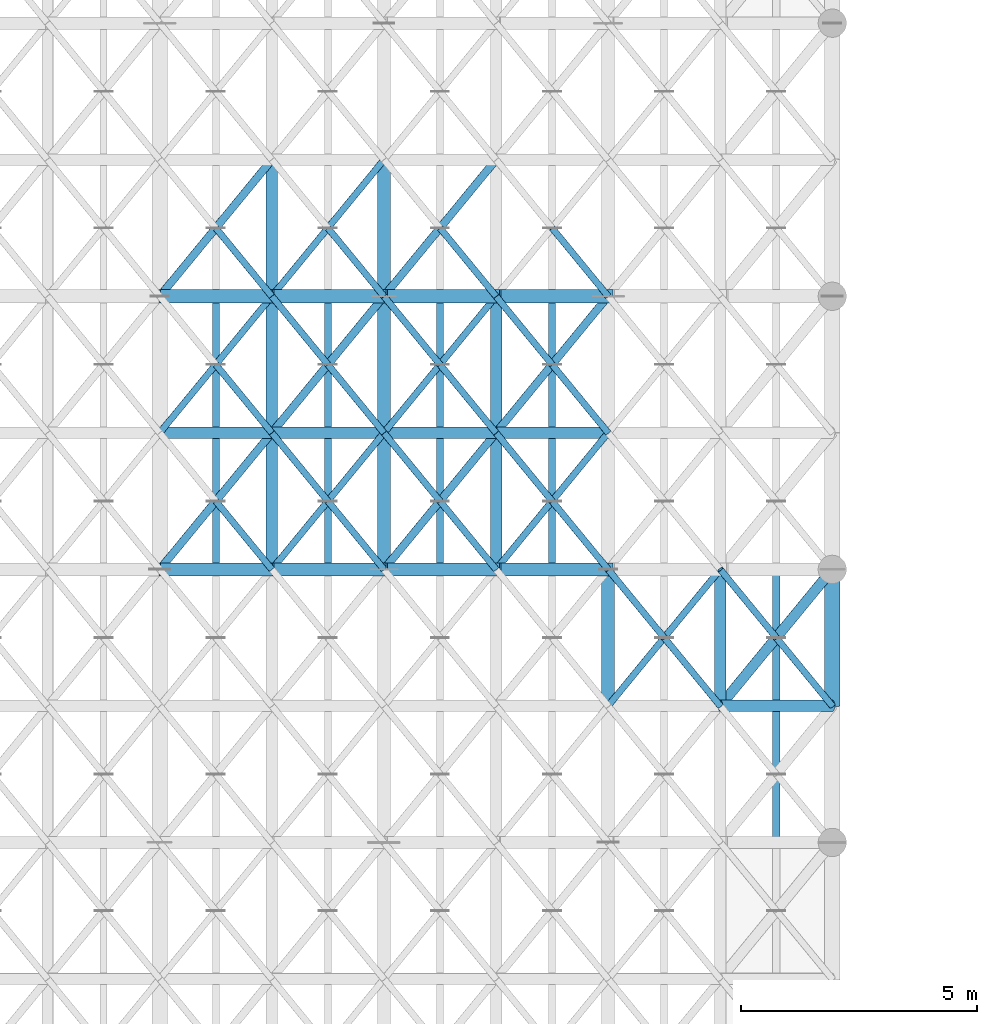
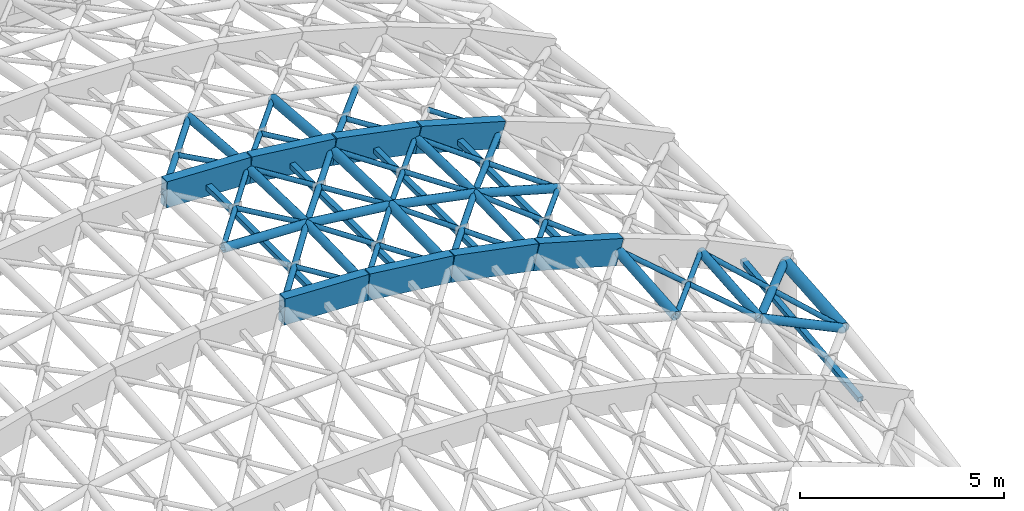
# One storey, part 42 of 146: 56 members, 8 beams.
"""IFC4 building model written with IfcOpenShell, lengths in metres."""

from ifc_helpers import new_model, si_unit, direction, frame, origin, origin_2d, place, context, subcontext, project, spatial, rectangle, hollow_rectangle, hollow_circle, extrude, material, material_profile, profile_set, type_object, element, save


model = new_model("IFC4")

# Units and contexts
model_context = context("Model", 3, precision=1e-05, world=origin(), true_north=direction((0.0, 1.0)))
body_context = subcontext(model_context, "Body", "Model", "MODEL_VIEW")
ifc_project = project(units=[si_unit("LENGTHUNIT", "METRE"), si_unit("AREAUNIT", "SQUARE_METRE"), si_unit("VOLUMEUNIT", "CUBIC_METRE"), si_unit("PLANEANGLEUNIT", "RADIAN"), si_unit("MASSUNIT", "GRAM", prefix="KILO")], contexts=[model_context])

# Site, building, storey
site_placement = place(None, origin())
site = spatial("IfcSite", under=ifc_project, at=site_placement, CompositionType="ELEMENT")
building_placement = place(site_placement, origin())
building = spatial("IfcBuilding", under=site, at=building_placement, Name="Valcora Specialist Clinic", CompositionType="ELEMENT")
storey_placement = place(building_placement, frame((0.0, 0.0, 9.52001953125)))
storey = spatial("IfcBuildingStorey", under=building, at=storey_placement, Name="L02", CompositionType="ELEMENT", Elevation=9.52001953125)

# Beams
ifc_material_1 = material(Name="Glulam Conifer Class 24F", Category="wood")
ifc_material_profile_1 = material_profile(ifc_material_1, rectangle(XDim=0.280029296875, YDim=0.780029296875, at=origin_2d()), Name="GL-ARC-280X780")
ifc_profile_set_1 = profile_set([ifc_material_profile_1], Name="Glulam Conifer Class 24F")
beam_type = type_object("IfcBeamType", Name="TY-AR-GL780", PredefinedType="JOIST", material=ifc_profile_set_1)
beam_1_placement = place(storey_placement, frame((15.0, 56.10693359375, 8.319580078125), z_axis=(0.999229898969, 0.0, -0.039237851707), x_axis=(0.0, 1.0, 0.0)))
element("IfcBeam", 1, at=beam_1_placement, inside=storey, type_object=beam_type, Name="Gridshell glulam arch chord BM-GSA-043", PredefinedType="JOIST", context=body_context, shape_type="SweptSolid", body=[
    extrude(rectangle(XDim=0.280029296875, YDim=0.780029296875, at=origin_2d()), origin(), (0.0, 0.0, 1.0), 2.376708984375),
])
beam_2_placement = place(storey_placement, frame((17.375, 56.10693359375, 8.226318359375), z_axis=(0.993061123194, 0.0, -0.117599343536), x_axis=(0.0, 1.0, 0.0)))
element("IfcBeam", 2, at=beam_2_placement, inside=storey, type_object=beam_type, Name="Gridshell glulam arch chord BM-GSA-044", PredefinedType="JOIST", context=body_context, shape_type="SweptSolid", body=[
    extrude(rectangle(XDim=0.280029296875, YDim=0.780029296875, at=origin_2d()), origin(), (0.0, 0.0, 1.0), 2.3916015625),
])
beam_3_placement = place(storey_placement, frame((19.75, 56.10693359375, 7.945068359375), z_axis=(0.980592304853, 0.0, -0.19605798036), x_axis=(0.0, 1.0, 0.0)))
element("IfcBeam", 3, at=beam_3_placement, inside=storey, type_object=beam_type, Name="Gridshell glulam arch chord BM-GSA-045", PredefinedType="JOIST", context=body_context, shape_type="SweptSolid", body=[
    extrude(rectangle(XDim=0.280029296875, YDim=0.780029296875, at=origin_2d()), origin(), (0.0, 0.0, 1.0), 2.422119140625),
])
beam_4_placement = place(storey_placement, frame((22.125, 56.10693359375, 7.47021484375), z_axis=(0.961613421173, 0.0, -0.274407777259), x_axis=(0.0, 1.0, 0.0)))
element("IfcBeam", 4, at=beam_4_placement, inside=storey, type_object=beam_type, Name="Gridshell glulam arch chord BM-GSA-046", PredefinedType="JOIST", context=body_context, shape_type="SweptSolid", body=[
    extrude(rectangle(XDim=0.280029296875, YDim=0.780029296875, at=origin_2d()), origin(), (0.0, 0.0, 1.0), 2.4697265625),
])
beam_5_placement = place(storey_placement, frame((15.0, 61.89306640625, 8.319580078125), z_axis=(0.999229898969, 0.0, -0.039237851707), x_axis=(0.0, 1.0, 0.0)))
element("IfcBeam", 5, at=beam_5_placement, inside=storey, type_object=beam_type, Name="Gridshell glulam arch chord BM-GSA-055", PredefinedType="JOIST", context=body_context, shape_type="SweptSolid", body=[
    extrude(rectangle(XDim=0.280029296875, YDim=0.780029296875, at=origin_2d()), origin(), (0.0, 0.0, 1.0), 2.376708984375),
])
beam_6_placement = place(storey_placement, frame((17.375, 61.89306640625, 8.226318359375), z_axis=(0.993061123194, 0.0, -0.117599343536), x_axis=(0.0, 1.0, 0.0)))
element("IfcBeam", 6, at=beam_6_placement, inside=storey, type_object=beam_type, Name="Gridshell glulam arch chord BM-GSA-056", PredefinedType="JOIST", context=body_context, shape_type="SweptSolid", body=[
    extrude(rectangle(XDim=0.280029296875, YDim=0.780029296875, at=origin_2d()), origin(), (0.0, 0.0, 1.0), 2.3916015625),
])
beam_7_placement = place(storey_placement, frame((19.75, 61.89306640625, 7.945068359375), z_axis=(0.980592304853, 0.0, -0.19605798036), x_axis=(0.0, 1.0, 0.0)))
element("IfcBeam", 7, at=beam_7_placement, inside=storey, type_object=beam_type, Name="Gridshell glulam arch chord BM-GSA-057", PredefinedType="JOIST", context=body_context, shape_type="SweptSolid", body=[
    extrude(rectangle(XDim=0.280029296875, YDim=0.780029296875, at=origin_2d()), origin(), (0.0, 0.0, 1.0), 2.422119140625),
])
beam_8_placement = place(storey_placement, frame((22.125, 61.89306640625, 7.47021484375), z_axis=(0.961613421173, 0.0, -0.274407777259), x_axis=(0.0, 1.0, 0.0)))
element("IfcBeam", 8, at=beam_8_placement, inside=storey, type_object=beam_type, Name="Gridshell glulam arch chord BM-GSA-058", PredefinedType="JOIST", context=body_context, shape_type="SweptSolid", body=[
    extrude(rectangle(XDim=0.280029296875, YDim=0.780029296875, at=origin_2d()), origin(), (0.0, 0.0, 1.0), 2.4697265625),
])

# Members
ifc_material_2 = material(Name="Steel ASTM A500 Grade C", Category="steel")
ifc_material_profile_2 = material_profile(ifc_material_2, hollow_circle(Radius=0.1220703125, WallThickness=0.010009765625, at=origin_2d()), Name="ST-CHS-244X10")
ifc_profile_set_2 = profile_set([ifc_material_profile_2], Name="Steel ASTM A500 Grade C")
member_type_1 = type_object("IfcMemberType", Name="TY-MB-GSC244", PredefinedType="CHORD", material=ifc_profile_set_2)
for number, where, z_axis, x_axis, name in (
    (9, (17.375, 56.10693359375, 8.226318359375), (0.0, 0.999612467017, 0.027837309208), (-1.0, 0.0, 0.0), "Gridshell longitudinal chord MB-L02-0105"),
    (10, (17.375, 59.0, 8.306884765625), (0.0, 0.999612467017, -0.027837309208), (-1.0, 0.0, 0.0), "Gridshell longitudinal chord MB-L02-0106"),
):
    element("IfcMember", number, at=place(storey_placement, frame(where, z_axis=z_axis, x_axis=x_axis)), inside=storey, type_object=member_type_1, Name=name, PredefinedType="CHORD", context=body_context, shape_type="SweptSolid", body=[
        extrude(hollow_circle(Radius=0.1220703125, WallThickness=0.010009765625, at=origin_2d()), origin(), (0.0, 0.0, 1.0), 2.894287109375),
    ])
member_1_placement = place(storey_placement, frame((17.375, 61.89306640625, 8.226318359375), z_axis=(0.0, 0.99650678891, -0.083511793517), x_axis=(-1.0, 0.0, 0.0)))
element("IfcMember", 11, at=member_1_placement, inside=storey, type_object=member_type_1, Name="Gridshell longitudinal chord MB-L02-0107", PredefinedType="CHORD", context=body_context, shape_type="SweptSolid", body=[
    extrude(hollow_circle(Radius=0.1220703125, WallThickness=0.010009765625, at=origin_2d()), origin(), (0.0, 0.0, 1.0), 2.903076171875),
])
for number, where, z_axis, x_axis, name in (
    (12, (22.125, 56.10693359375, 7.47021484375), (0.0, 0.999612467017, 0.027837309208), (-1.0, 0.0, 0.0), "Gridshell longitudinal chord MB-L02-0133"),
    (13, (22.125, 59.0, 7.55078125), (0.0, 0.999612467017, -0.027837309208), (-1.0, 0.0, 0.0), "Gridshell longitudinal chord MB-L02-0134"),
):
    element("IfcMember", number, at=place(storey_placement, frame(where, z_axis=z_axis, x_axis=x_axis)), inside=storey, type_object=member_type_1, Name=name, PredefinedType="CHORD", context=body_context, shape_type="SweptSolid", body=[
        extrude(hollow_circle(Radius=0.1220703125, WallThickness=0.010009765625, at=origin_2d()), origin(), (0.0, 0.0, 1.0), 2.894287109375),
    ])
member_2_placement = place(storey_placement, frame((26.875, 53.214111328125, 5.654541015625), z_axis=(0.0, 0.99650678891, 0.083511793517), x_axis=(-1.0, 0.0, 0.0)))
element("IfcMember", 14, at=member_2_placement, inside=storey, type_object=member_type_1, Name="Gridshell longitudinal chord MB-L02-0160", PredefinedType="CHORD", context=body_context, shape_type="SweptSolid", body=[
    extrude(hollow_circle(Radius=0.1220703125, WallThickness=0.010009765625, at=origin_2d()), origin(), (0.0, 0.0, 1.0), 2.903076171875),
])
member_3_placement = place(storey_placement, frame((26.875, 53.214111328125, 5.654541015625), z_axis=(0.902225234529, 0.0, -0.431265146028), x_axis=(0.0, 1.0, 0.0)))
element("IfcMember", 15, at=member_3_placement, inside=storey, type_object=member_type_1, Name="Gridshell secondary transverse chord MB-L02-0302", PredefinedType="CHORD", context=body_context, shape_type="SweptSolid", body=[
    extrude(hollow_circle(Radius=0.1220703125, WallThickness=0.010009765625, at=origin_2d()), origin(), (0.0, 0.0, 1.0), 2.63232421875),
])
member_4_placement = place(storey_placement, frame((15.0, 59.0, 8.39990234375), z_axis=(0.999233921008, 0.0, -0.039135292342), x_axis=(0.0, 1.0, 0.0)))
element("IfcMember", 16, at=member_4_placement, inside=storey, type_object=member_type_1, Name="Gridshell secondary transverse chord MB-L02-0309", PredefinedType="CHORD", context=body_context, shape_type="SweptSolid", body=[
    extrude(hollow_circle(Radius=0.1220703125, WallThickness=0.010009765625, at=origin_2d()), origin(), (0.0, 0.0, 1.0), 2.376708984375),
])
member_5_placement = place(storey_placement, frame((17.375, 59.0, 8.306884765625), z_axis=(0.993061123194, 0.0, -0.117599343536), x_axis=(0.0, 1.0, 0.0)))
element("IfcMember", 17, at=member_5_placement, inside=storey, type_object=member_type_1, Name="Gridshell secondary transverse chord MB-L02-0310", PredefinedType="CHORD", context=body_context, shape_type="SweptSolid", body=[
    extrude(hollow_circle(Radius=0.1220703125, WallThickness=0.010009765625, at=origin_2d()), origin(), (0.0, 0.0, 1.0), 2.3916015625),
])
member_6_placement = place(storey_placement, frame((19.75, 59.0, 8.025634765625), z_axis=(0.980592304853, 0.0, -0.19605798036), x_axis=(0.0, 1.0, 0.0)))
element("IfcMember", 18, at=member_6_placement, inside=storey, type_object=member_type_1, Name="Gridshell secondary transverse chord MB-L02-0311", PredefinedType="CHORD", context=body_context, shape_type="SweptSolid", body=[
    extrude(hollow_circle(Radius=0.1220703125, WallThickness=0.010009765625, at=origin_2d()), origin(), (0.0, 0.0, 1.0), 2.422119140625),
])
member_7_placement = place(storey_placement, frame((22.125, 59.0, 7.55078125), z_axis=(0.961613421173, 0.0, -0.274407777259), x_axis=(0.0, 1.0, 0.0)))
element("IfcMember", 19, at=member_7_placement, inside=storey, type_object=member_type_1, Name="Gridshell secondary transverse chord MB-L02-0312", PredefinedType="CHORD", context=body_context, shape_type="SweptSolid", body=[
    extrude(hollow_circle(Radius=0.1220703125, WallThickness=0.010009765625, at=origin_2d()), origin(), (0.0, 0.0, 1.0), 2.4697265625),
])
ifc_material_profile_3 = material_profile(ifc_material_2, hollow_circle(Radius=0.136474609375, WallThickness=0.011962890625, at=origin_2d()), Name="ST-CHS-273X12")
ifc_profile_set_3 = profile_set([ifc_material_profile_3], Name="Steel ASTM A500 Grade C")
member_type_2 = type_object("IfcMemberType", Name="TY-MB-GSC273", PredefinedType="CHORD", material=ifc_profile_set_3)
for number, where, z_axis, x_axis, name in (
    (20, (19.75, 56.10693359375, 7.945068359375), (0.0, 0.999612467017, 0.027837309208), (-1.0, 0.0, 0.0), "Gridshell longitudinal chord MB-L02-0119"),
    (21, (19.75, 59.0, 8.025634765625), (0.0, 0.999612467017, -0.027837309208), (-1.0, 0.0, 0.0), "Gridshell longitudinal chord MB-L02-0120"),
):
    element("IfcMember", number, at=place(storey_placement, frame(where, z_axis=z_axis, x_axis=x_axis)), inside=storey, type_object=member_type_2, Name=name, PredefinedType="CHORD", context=body_context, shape_type="SweptSolid", body=[
        extrude(hollow_circle(Radius=0.136474609375, WallThickness=0.011962890625, at=origin_2d()), origin(), (0.0, 0.0, 1.0), 2.894287109375),
    ])
for number, where, z_axis, x_axis, name in (
    (22, (19.75, 61.89306640625, 7.945068359375), (0.0, 0.99650678891, -0.083511793517), (-1.0, 0.0, 0.0), "Gridshell longitudinal chord MB-L02-0121"),
    (23, (24.5, 53.214111328125, 6.550048828125), (0.0, 0.99650678891, 0.083511793517), (-1.0, 0.0, 0.0), "Gridshell longitudinal chord MB-L02-0146"),
):
    element("IfcMember", number, at=place(storey_placement, frame(where, z_axis=z_axis, x_axis=x_axis)), inside=storey, type_object=member_type_2, Name=name, PredefinedType="CHORD", context=body_context, shape_type="SweptSolid", body=[
        extrude(hollow_circle(Radius=0.136474609375, WallThickness=0.011962890625, at=origin_2d()), origin(), (0.0, 0.0, 1.0), 2.903076171875),
    ])
ifc_material_profile_4 = material_profile(ifc_material_2, hollow_circle(Radius=0.162109375, WallThickness=0.011962890625, at=origin_2d()), Name="ST-CHS-324X12")
ifc_profile_set_4 = profile_set([ifc_material_profile_4], Name="Steel ASTM A500 Grade C")
member_type_3 = type_object("IfcMemberType", Name="TY-MB-GSC324", PredefinedType="CHORD", material=ifc_profile_set_4)
member_8_placement = place(storey_placement, frame((29.25, 53.214111328125, 4.519287109375), z_axis=(0.0, 0.996513784309, 0.083428278676), x_axis=(-1.0, 0.0, 0.0)))
element("IfcMember", 24, at=member_8_placement, inside=storey, type_object=member_type_3, Name="Gridshell longitudinal chord MB-L02-0174", PredefinedType="CHORD", context=body_context, shape_type="SweptSolid", body=[
    extrude(hollow_circle(Radius=0.162109375, WallThickness=0.011962890625, at=origin_2d()), origin(), (0.0, 0.0, 1.0), 2.90283203125),
])
ifc_material_profile_5 = material_profile(ifc_material_2, hollow_circle(Radius=0.070068359375, WallThickness=0.006103515625, at=origin_2d()), Name="ST-CHS-140X6")
ifc_profile_set_5 = profile_set([ifc_material_profile_5], Name="Steel ASTM A500 Grade C")
member_type_4 = type_object("IfcMemberType", Name="TY-MB-GSD140", PredefinedType="BRACE", material=ifc_profile_set_5)
member_9_placement = place(storey_placement, frame((17.375, 56.10693359375, 8.226318359375), z_axis=(-0.633829211446, 0.772088420604, 0.046260150095), x_axis=(-0.772915884105, -0.634508499626, 0.0)))
element("IfcMember", 25, at=member_9_placement, inside=storey, type_object=member_type_4, Name="Gridshell split counter diagrid A MB-L02-0532", PredefinedType="BRACE", context=body_context, shape_type="SweptSolid", body=[
    extrude(hollow_circle(Radius=0.070068359375, WallThickness=0.006103515625, at=origin_2d()), origin(), (0.0, 0.0, 1.0), 1.87353515625),
])
member_10_placement = place(storey_placement, frame((15.0, 59.0, 8.39990234375), z_axis=(0.633827299693, 0.772086091834, -0.04632516551), x_axis=(-0.772915884105, 0.634508499626, 0.0)))
element("IfcMember", 26, at=member_10_placement, inside=storey, type_object=member_type_4, Name="Gridshell primary diagrid MB-L02-0533", PredefinedType="BRACE", context=body_context, shape_type="SweptSolid", body=[
    extrude(hollow_circle(Radius=0.070068359375, WallThickness=0.006103515625, at=origin_2d()), origin(), (0.0, 0.0, 1.0), 3.7470703125),
])
member_11_placement = place(storey_placement, frame((17.375, 59.0, 8.306884765625), z_axis=(-0.634504850086, 0.772911438479, 0.003391678886), x_axis=(-0.772915884105, -0.634508499626, 0.0)))
element("IfcMember", 27, at=member_11_placement, inside=storey, type_object=member_type_4, Name="Gridshell split counter diagrid A MB-L02-0534", PredefinedType="BRACE", context=body_context, shape_type="SweptSolid", body=[
    extrude(hollow_circle(Radius=0.070068359375, WallThickness=0.006103515625, at=origin_2d()), origin(), (0.0, 0.0, 1.0), 1.87158203125),
])
member_12_placement = place(storey_placement, frame((17.375, 61.89306640625, 8.226318359375), z_axis=(-0.634003583287, 0.772300828736, -0.039885916218), x_axis=(-0.772915884105, -0.634508499626, 0.0)))
element("IfcMember", 28, at=member_12_placement, inside=storey, type_object=member_type_4, Name="Gridshell split counter diagrid A MB-L02-0536", PredefinedType="BRACE", context=body_context, shape_type="SweptSolid", body=[
    extrude(hollow_circle(Radius=0.070068359375, WallThickness=0.006103515625, at=origin_2d()), origin(), (0.0, 0.0, 1.0), 1.873046875),
])
member_13_placement = place(storey_placement, frame((17.375, 56.10693359375, 8.226318359375), z_axis=(0.633598494634, 0.77180737679, -0.053538030694), x_axis=(-0.772915884105, 0.634508499626, 0.0)))
element("IfcMember", 29, at=member_13_placement, inside=storey, type_object=member_type_4, Name="Gridshell primary diagrid MB-L02-0559", PredefinedType="BRACE", context=body_context, shape_type="SweptSolid", body=[
    extrude(hollow_circle(Radius=0.070068359375, WallThickness=0.006103515625, at=origin_2d()), origin(), (0.0, 0.0, 1.0), 3.74853515625),
])
member_14_placement = place(storey_placement, frame((19.75, 56.10693359375, 7.945068359375), z_axis=(-0.631564748423, 0.769330002962, 0.096214942143), x_axis=(-0.772915884105, -0.634508499626, 0.0)))
element("IfcMember", 30, at=member_14_placement, inside=storey, type_object=member_type_4, Name="Gridshell split counter diagrid A MB-L02-0560", PredefinedType="BRACE", context=body_context, shape_type="SweptSolid", body=[
    extrude(hollow_circle(Radius=0.070068359375, WallThickness=0.006103515625, at=origin_2d()), origin(), (0.0, 0.0, 1.0), 1.88037109375),
])
member_15_placement = place(storey_placement, frame((19.75, 59.0, 8.025634765625), z_axis=(-0.633598494634, 0.77180737679, 0.053538030694), x_axis=(-0.772915884105, -0.634508499626, 0.0)))
element("IfcMember", 31, at=member_15_placement, inside=storey, type_object=member_type_4, Name="Gridshell split counter diagrid A MB-L02-0562", PredefinedType="BRACE", context=body_context, shape_type="SweptSolid", body=[
    extrude(hollow_circle(Radius=0.070068359375, WallThickness=0.006103515625, at=origin_2d()), origin(), (0.0, 0.0, 1.0), 1.874267578125),
])
member_16_placement = place(storey_placement, frame((17.375, 61.89306640625, 8.226318359375), z_axis=(0.628419301344, 0.765433830349, -0.13856490557), x_axis=(-0.772889622479, 0.634540488436, 0.0)))
element("IfcMember", 32, at=member_16_placement, inside=storey, type_object=member_type_4, Name="Gridshell primary diagrid MB-L02-0563", PredefinedType="BRACE", context=body_context, shape_type="SweptSolid", body=[
    extrude(hollow_circle(Radius=0.070068359375, WallThickness=0.006103515625, at=origin_2d()), origin(), (0.0, 0.0, 1.0), 3.779296875),
])
member_17_placement = place(storey_placement, frame((19.75, 61.89306640625, 7.945068359375), z_axis=(-0.63447395029, 0.772873798411, 0.010435426814), x_axis=(-0.772915884105, -0.634508499626, 0.0)))
element("IfcMember", 33, at=member_17_placement, inside=storey, type_object=member_type_4, Name="Gridshell split counter diagrid A MB-L02-0564", PredefinedType="BRACE", context=body_context, shape_type="SweptSolid", body=[
    extrude(hollow_circle(Radius=0.070068359375, WallThickness=0.006103515625, at=origin_2d()), origin(), (0.0, 0.0, 1.0), 1.87158203125),
])
member_18_placement = place(storey_placement, frame((22.125, 56.10693359375, 7.47021484375), z_axis=(-0.627642215651, 0.764551835471, 0.14671652944), x_axis=(-0.772915884105, -0.634508499626, 0.0)))
element("IfcMember", 34, at=member_18_placement, inside=storey, type_object=member_type_4, Name="Gridshell split counter diagrid A MB-L02-0588", PredefinedType="BRACE", context=body_context, shape_type="SweptSolid", body=[
    extrude(hollow_circle(Radius=0.070068359375, WallThickness=0.006103515625, at=origin_2d()), origin(), (0.0, 0.0, 1.0), 1.89208984375),
])
member_19_placement = place(storey_placement, frame((19.75, 59.0, 8.025634765625), z_axis=(0.627636273152, 0.764544596716, -0.146779658863), x_axis=(-0.772915884105, 0.634508499626, 0.0)))
element("IfcMember", 35, at=member_19_placement, inside=storey, type_object=member_type_4, Name="Gridshell primary diagrid MB-L02-0589", PredefinedType="BRACE", context=body_context, shape_type="SweptSolid", body=[
    extrude(hollow_circle(Radius=0.070068359375, WallThickness=0.006103515625, at=origin_2d()), origin(), (0.0, 0.0, 1.0), 3.783935546875),
])
member_20_placement = place(storey_placement, frame((22.125, 59.0, 7.55078125), z_axis=(-0.631021509612, 0.768668265717, 0.104694563786), x_axis=(-0.772915884105, -0.634508499626, 0.0)))
element("IfcMember", 36, at=member_20_placement, inside=storey, type_object=member_type_4, Name="Gridshell split counter diagrid A MB-L02-0590", PredefinedType="BRACE", context=body_context, shape_type="SweptSolid", body=[
    extrude(hollow_circle(Radius=0.070068359375, WallThickness=0.006103515625, at=origin_2d()), origin(), (0.0, 0.0, 1.0), 1.8818359375),
])
member_21_placement = place(storey_placement, frame((22.125, 61.89306640625, 7.47021484375), z_axis=(-0.633288792823, 0.771430118725, 0.06197480785), x_axis=(-0.772915884105, -0.634508499626, 0.0)))
element("IfcMember", 37, at=member_21_placement, inside=storey, type_object=member_type_4, Name="Gridshell split counter diagrid A MB-L02-0592", PredefinedType="BRACE", context=body_context, shape_type="SweptSolid", body=[
    extrude(hollow_circle(Radius=0.070068359375, WallThickness=0.006103515625, at=origin_2d()), origin(), (0.0, 0.0, 1.0), 1.875244140625),
])
member_22_placement = place(storey_placement, frame((22.125, 56.10693359375, 7.47021484375), z_axis=(0.626584349535, 0.763263213609, -0.157547832953), x_axis=(-0.772915884105, 0.634508499626, 0.0)))
element("IfcMember", 38, at=member_22_placement, inside=storey, type_object=member_type_4, Name="Gridshell primary diagrid MB-L02-0615", PredefinedType="BRACE", context=body_context, shape_type="SweptSolid", body=[
    extrude(hollow_circle(Radius=0.070068359375, WallThickness=0.006103515625, at=origin_2d()), origin(), (0.0, 0.0, 1.0), 3.790283203125),
])
member_23_placement = place(storey_placement, frame((24.5, 56.10693359375, 6.79248046875), z_axis=(-0.621875254958, 0.757526909051, 0.198555154389), x_axis=(-0.772915884105, -0.634508499626, 0.0)))
element("IfcMember", 39, at=member_23_placement, inside=storey, type_object=member_type_4, Name="Gridshell split counter diagrid A MB-L02-0616", PredefinedType="BRACE", context=body_context, shape_type="SweptSolid", body=[
    extrude(hollow_circle(Radius=0.070068359375, WallThickness=0.006103515625, at=origin_2d()), origin(), (0.0, 0.0, 1.0), 1.90966796875),
])
member_24_placement = place(storey_placement, frame((24.5, 59.0, 6.873046875), z_axis=(-0.626584349535, 0.763263213609, 0.157547832953), x_axis=(-0.772915884105, -0.634508499626, 0.0)))
element("IfcMember", 40, at=member_24_placement, inside=storey, type_object=member_type_4, Name="Gridshell split counter diagrid A MB-L02-0618", PredefinedType="BRACE", context=body_context, shape_type="SweptSolid", body=[
    extrude(hollow_circle(Radius=0.070068359375, WallThickness=0.006103515625, at=origin_2d()), origin(), (0.0, 0.0, 1.0), 1.895263671875),
])
member_25_placement = place(storey_placement, frame((24.5, 61.89306640625, 6.79248046875), z_axis=(-0.630256024321, 0.767735802653, 0.115581491302), x_axis=(-0.772915884105, -0.634508499626, 0.0)))
element("IfcMember", 41, at=member_25_placement, inside=storey, type_object=member_type_4, Name="Gridshell split counter diagrid A MB-L02-0620", PredefinedType="BRACE", context=body_context, shape_type="SweptSolid", body=[
    extrude(hollow_circle(Radius=0.070068359375, WallThickness=0.006103515625, at=origin_2d()), origin(), (0.0, 0.0, 1.0), 1.884033203125),
])
member_26_placement = place(storey_placement, frame((24.5, 53.214111328125, 6.550048828125), z_axis=(0.625096236152, 0.761386235831, -0.171888613457), x_axis=(-0.772889622479, 0.634540488436, 0.0)))
element("IfcMember", 42, at=member_26_placement, inside=storey, type_object=member_type_4, Name="Gridshell primary diagrid MB-L02-0641", PredefinedType="BRACE", context=body_context, shape_type="SweptSolid", body=[
    extrude(hollow_circle(Radius=0.070068359375, WallThickness=0.006103515625, at=origin_2d()), origin(), (0.0, 0.0, 1.0), 3.79931640625),
])
member_27_placement = place(storey_placement, frame((26.875, 53.214111328125, 5.654541015625), z_axis=(-0.607141255778, 0.739454111684, 0.290838636095), x_axis=(-0.772863356881, -0.634572479384, 0.0)))
element("IfcMember", 43, at=member_27_placement, inside=storey, type_object=member_type_4, Name="Gridshell split counter diagrid A MB-L02-0642", PredefinedType="BRACE", context=body_context, shape_type="SweptSolid", body=[
    extrude(hollow_circle(Radius=0.070068359375, WallThickness=0.006103515625, at=origin_2d()), origin(), (0.0, 0.0, 1.0), 1.955810546875),
])
member_28_placement = place(storey_placement, frame((29.25, 53.214111328125, 4.519287109375), z_axis=(-0.595520995032, 0.725301475035, 0.345387484989), x_axis=(-0.772863356881, -0.634572479384, 0.0)))
element("IfcMember", 44, at=member_28_placement, inside=storey, type_object=member_type_4, Name="Gridshell split counter diagrid A MB-L02-0670", PredefinedType="BRACE", context=body_context, shape_type="SweptSolid", body=[
    extrude(hollow_circle(Radius=0.070068359375, WallThickness=0.006103515625, at=origin_2d()), origin(), (0.0, 0.0, 1.0), 1.994140625),
])
member_29_placement = place(storey_placement, frame((18.5625, 57.553466796875, 8.1259765625), z_axis=(-0.631564748423, 0.769330002962, 0.096214942143), x_axis=(-0.772915884105, -0.634508499626, 0.0)))
element("IfcMember", 45, at=member_29_placement, inside=storey, type_object=member_type_4, Name="Gridshell split counter diagrid B 105", PredefinedType="BRACE", context=body_context, shape_type="SweptSolid", body=[
    extrude(hollow_circle(Radius=0.070068359375, WallThickness=0.006103515625, at=origin_2d()), origin(), (0.0, 0.0, 1.0), 1.88037109375),
])
member_30_placement = place(storey_placement, frame((18.5625, 60.446533203125, 8.1259765625), z_axis=(-0.633598494634, 0.77180737679, 0.053538030694), x_axis=(-0.772915884105, -0.634508499626, 0.0)))
element("IfcMember", 46, at=member_30_placement, inside=storey, type_object=member_type_4, Name="Gridshell split counter diagrid B 106", PredefinedType="BRACE", context=body_context, shape_type="SweptSolid", body=[
    extrude(hollow_circle(Radius=0.070068359375, WallThickness=0.006103515625, at=origin_2d()), origin(), (0.0, 0.0, 1.0), 1.874267578125),
])
member_31_placement = place(storey_placement, frame((20.9375, 57.553466796875, 7.747802734375), z_axis=(-0.62763032821, 0.764537354984, 0.146842786493), x_axis=(-0.772915884105, -0.634508499626, 0.0)))
element("IfcMember", 47, at=member_31_placement, inside=storey, type_object=member_type_4, Name="Gridshell split counter diagrid B 119", PredefinedType="BRACE", context=body_context, shape_type="SweptSolid", body=[
    extrude(hollow_circle(Radius=0.070068359375, WallThickness=0.006103515625, at=origin_2d()), origin(), (0.0, 0.0, 1.0), 1.89208984375),
])
member_32_placement = place(storey_placement, frame((20.9375, 60.446533203125, 7.747802734375), z_axis=(-0.631012933725, 0.768657819145, 0.104822872214), x_axis=(-0.772915884105, -0.634508499626, 0.0)))
element("IfcMember", 48, at=member_32_placement, inside=storey, type_object=member_type_4, Name="Gridshell split counter diagrid B 120", PredefinedType="BRACE", context=body_context, shape_type="SweptSolid", body=[
    extrude(hollow_circle(Radius=0.070068359375, WallThickness=0.006103515625, at=origin_2d()), origin(), (0.0, 0.0, 1.0), 1.8818359375),
])
member_33_placement = place(storey_placement, frame((23.3125, 57.553466796875, 7.171630859375), z_axis=(-0.621875254958, 0.757526909051, 0.198555154389), x_axis=(-0.772915884105, -0.634508499626, 0.0)))
element("IfcMember", 49, at=member_33_placement, inside=storey, type_object=member_type_4, Name="Gridshell split counter diagrid B 133", PredefinedType="BRACE", context=body_context, shape_type="SweptSolid", body=[
    extrude(hollow_circle(Radius=0.070068359375, WallThickness=0.006103515625, at=origin_2d()), origin(), (0.0, 0.0, 1.0), 1.90966796875),
])
member_34_placement = place(storey_placement, frame((23.3125, 60.446533203125, 7.171630859375), z_axis=(-0.626584349535, 0.763263213609, 0.157547832953), x_axis=(-0.772915884105, -0.634508499626, 0.0)))
element("IfcMember", 50, at=member_34_placement, inside=storey, type_object=member_type_4, Name="Gridshell split counter diagrid B 134", PredefinedType="BRACE", context=body_context, shape_type="SweptSolid", body=[
    extrude(hollow_circle(Radius=0.070068359375, WallThickness=0.006103515625, at=origin_2d()), origin(), (0.0, 0.0, 1.0), 1.895263671875),
])
member_35_placement = place(storey_placement, frame((25.6875, 54.660400390625, 6.223388671875), z_axis=(-0.607063180166, 0.739483828635, 0.290926042962), x_axis=(-0.772915884105, -0.634508499626, 0.0)))
element("IfcMember", 51, at=member_35_placement, inside=storey, type_object=member_type_4, Name="Gridshell split counter diagrid B 146", PredefinedType="BRACE", context=body_context, shape_type="SweptSolid", body=[
    extrude(hollow_circle(Radius=0.070068359375, WallThickness=0.006103515625, at=origin_2d()), origin(), (0.0, 0.0, 1.0), 1.9560546875),
])
member_36_placement = place(storey_placement, frame((28.0625, 54.660400390625, 5.2080078125), z_axis=(-0.595442935099, 0.725328822052, 0.34546463052), x_axis=(-0.772915884105, -0.634508499626, 0.0)))
element("IfcMember", 52, at=member_36_placement, inside=storey, type_object=member_type_4, Name="Gridshell split counter diagrid B 160", PredefinedType="BRACE", context=body_context, shape_type="SweptSolid", body=[
    extrude(hollow_circle(Radius=0.070068359375, WallThickness=0.006103515625, at=origin_2d()), origin(), (0.0, 0.0, 1.0), 1.994384765625),
])
ifc_material_profile_6 = material_profile(ifc_material_2, hollow_circle(Radius=0.083984375, WallThickness=0.008056640625, at=origin_2d()), Name="ST-CHS-168X8")
ifc_profile_set_6 = profile_set([ifc_material_profile_6], Name="Steel ASTM A500 Grade C")
member_type_5 = type_object("IfcMemberType", Name="TY-MB-GSD168", PredefinedType="BRACE", material=ifc_profile_set_6)
member_37_placement = place(storey_placement, frame((15.0, 56.10693359375, 8.319580078125), z_axis=(0.634504850086, 0.772911438479, -0.003391678886), x_axis=(-0.772915884105, 0.634508499626, 0.0)))
element("IfcMember", 53, at=member_37_placement, inside=storey, type_object=member_type_5, Name="Gridshell primary diagrid MB-L02-0531", PredefinedType="BRACE", context=body_context, shape_type="SweptSolid", body=[
    extrude(hollow_circle(Radius=0.083984375, WallThickness=0.008056640625, at=origin_2d()), origin(), (0.0, 0.0, 1.0), 3.7431640625),
])
member_38_placement = place(storey_placement, frame((15.0, 61.89306640625, 8.319580078125), z_axis=(0.632003632673, 0.76979965497, -0.089330283196), x_axis=(-0.772889622479, 0.634540488436, 0.0)))
element("IfcMember", 54, at=member_38_placement, inside=storey, type_object=member_type_5, Name="Gridshell primary diagrid MB-L02-0535", PredefinedType="BRACE", context=body_context, shape_type="SweptSolid", body=[
    extrude(hollow_circle(Radius=0.083984375, WallThickness=0.008056640625, at=origin_2d()), origin(), (0.0, 0.0, 1.0), 3.7578125),
])
member_39_placement = place(storey_placement, frame((17.375, 59.0, 8.306884765625), z_axis=(0.631564748423, 0.769330002962, -0.096214942143), x_axis=(-0.772915884105, 0.634508499626, 0.0)))
element("IfcMember", 55, at=member_39_placement, inside=storey, type_object=member_type_5, Name="Gridshell primary diagrid MB-L02-0561", PredefinedType="BRACE", context=body_context, shape_type="SweptSolid", body=[
    extrude(hollow_circle(Radius=0.083984375, WallThickness=0.008056640625, at=origin_2d()), origin(), (0.0, 0.0, 1.0), 3.760498046875),
])
member_40_placement = place(storey_placement, frame((19.75, 56.10693359375, 7.945068359375), z_axis=(0.631017222952, 0.768663043995, -0.104758718654), x_axis=(-0.772915884105, 0.634508499626, 0.0)))
element("IfcMember", 56, at=member_40_placement, inside=storey, type_object=member_type_5, Name="Gridshell primary diagrid MB-L02-0587", PredefinedType="BRACE", context=body_context, shape_type="SweptSolid", body=[
    extrude(hollow_circle(Radius=0.083984375, WallThickness=0.008056640625, at=origin_2d()), origin(), (0.0, 0.0, 1.0), 3.763671875),
])
member_41_placement = place(storey_placement, frame((19.75, 61.89306640625, 7.945068359375), z_axis=(0.623199816396, 0.759076338864, -0.188215569549), x_axis=(-0.772889622479, 0.634540488436, 0.0)))
element("IfcMember", 57, at=member_41_placement, inside=storey, type_object=member_type_5, Name="Gridshell primary diagrid MB-L02-0591", PredefinedType="BRACE", context=body_context, shape_type="SweptSolid", body=[
    extrude(hollow_circle(Radius=0.083984375, WallThickness=0.008056640625, at=origin_2d()), origin(), (0.0, 0.0, 1.0), 3.81103515625),
])
member_42_placement = place(storey_placement, frame((22.125, 59.0, 7.55078125), z_axis=(0.621875254958, 0.757526909051, -0.198555154389), x_axis=(-0.772915884105, 0.634508499626, 0.0)))
element("IfcMember", 58, at=member_42_placement, inside=storey, type_object=member_type_5, Name="Gridshell primary diagrid MB-L02-0617", PredefinedType="BRACE", context=body_context, shape_type="SweptSolid", body=[
    extrude(hollow_circle(Radius=0.083984375, WallThickness=0.008056640625, at=origin_2d()), origin(), (0.0, 0.0, 1.0), 3.819091796875),
])
ifc_material_profile_7 = material_profile(ifc_material_2, hollow_circle(Radius=0.109619140625, WallThickness=0.010009765625, at=origin_2d()), Name="ST-CHS-219X10")
ifc_profile_set_7 = profile_set([ifc_material_profile_7], Name="Steel ASTM A500 Grade C")
member_type_6 = type_object("IfcMemberType", Name="TY-MB-GSD219", PredefinedType="BRACE", material=ifc_profile_set_7)
member_43_placement = place(storey_placement, frame((26.875, 53.214111328125, 5.654541015625), z_axis=(0.617213970068, 0.751785395902, -0.232089710373), x_axis=(-0.772889622479, 0.634540488436, 0.0)))
element("IfcMember", 59, at=member_43_placement, inside=storey, type_object=member_type_6, Name="Gridshell primary diagrid MB-L02-0669", PredefinedType="BRACE", context=body_context, shape_type="SweptSolid", body=[
    extrude(hollow_circle(Radius=0.109619140625, WallThickness=0.010009765625, at=origin_2d()), origin(), (0.0, 0.0, 1.0), 3.847900390625),
])
ifc_material_profile_8 = material_profile(ifc_material_2, hollow_rectangle(XDim=0.14990234375, YDim=0.14990234375, WallThickness=0.006103515625, at=origin_2d()), Name="ST-RHS-150X150X6")
ifc_profile_set_8 = profile_set([ifc_material_profile_8], Name="Steel ASTM A500 Grade C")
member_type_7 = type_object("IfcMemberType", Name="TY-MB-PR150", PredefinedType="PURLIN", material=ifc_profile_set_8)
for number, where, z_axis, x_axis, name in (
    (60, (16.18798828125, 56.10693359375, 8.15283203125), (0.0, 1.0, 0.0), (-1.0, 0.0, 0.0), "Gridshell secondary purlin MB-L02-0228"),
    (61, (18.56201171875, 56.10693359375, 7.965576171875), (0.0, 1.0, 0.0), (-1.0, 0.0, 0.0), "Gridshell secondary purlin MB-L02-0235"),
    (62, (20.93798828125, 56.10693359375, 7.587646484375), (0.0, 1.0, 0.0), (-1.0, 0.0, 0.0), "Gridshell secondary purlin MB-L02-0242"),
    (63, (23.31201171875, 56.10693359375, 7.011474609375), (0.0, 1.0, 0.0), (-1.0, 0.0, 0.0), "Gridshell secondary purlin MB-L02-0249"),
):
    element("IfcMember", number, at=place(storey_placement, frame(where, z_axis=z_axis, x_axis=x_axis)), inside=storey, type_object=member_type_7, Name=name, PredefinedType="PURLIN", context=body_context, shape_type="SweptSolid", body=[
        extrude(hollow_rectangle(XDim=0.14990234375, YDim=0.14990234375, WallThickness=0.006103515625, at=origin_2d()), origin(), (0.0, 0.0, 1.0), 5.7861328125),
    ])
member_44_placement = place(storey_placement, frame((28.06201171875, 50.321044921875, 4.560302734375), z_axis=(0.0, 0.993769167561, 0.111457801906), x_axis=(-1.0, 0.0, 0.0)))
element("IfcMember", 64, at=member_44_placement, inside=storey, type_object=member_type_7, Name="Gridshell secondary purlin MB-L02-0262", PredefinedType="PURLIN", context=body_context, shape_type="SweptSolid", body=[
    extrude(hollow_rectangle(XDim=0.14990234375, YDim=0.14990234375, WallThickness=0.006103515625, at=origin_2d()), origin(), (0.0, 0.0, 1.0), 5.822265625),
])

save(model, "model.ifc")
